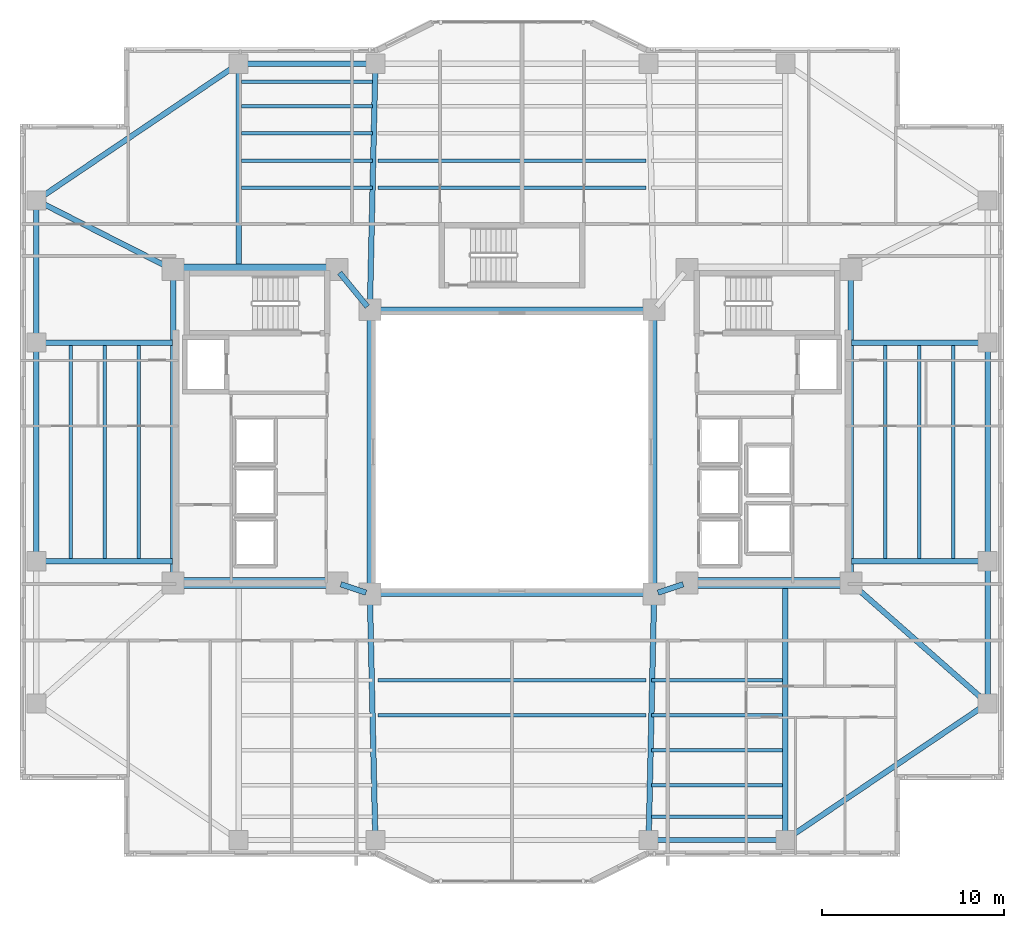
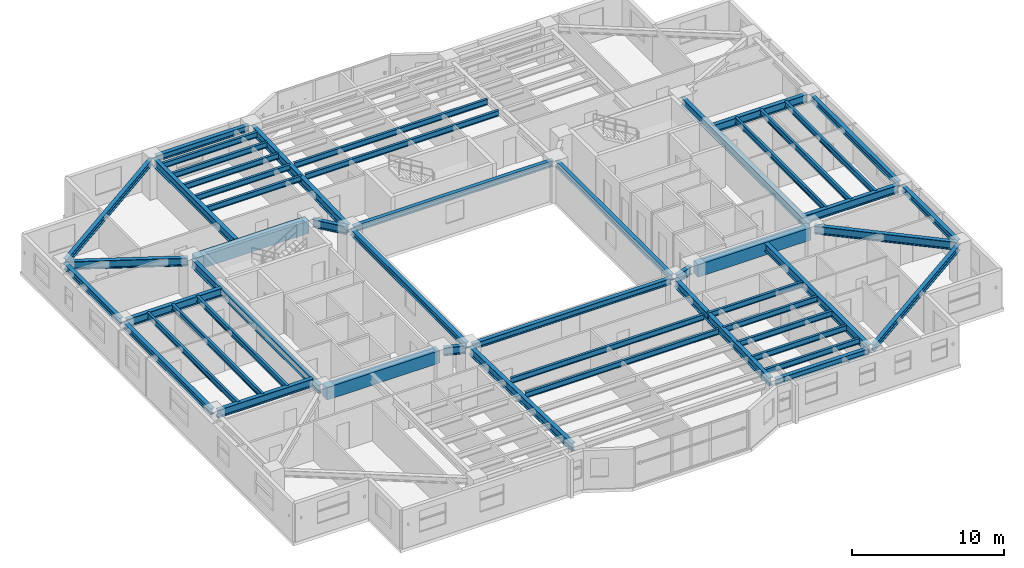
# One storey, part 3 of 18: 51 beams.
"""IFC4 building model written with IfcOpenShell, lengths in metres."""

import ifcopenshell
import ifcopenshell.guid

model = None  # the IFC model being written
_history = None  # IfcOwnerHistory: only IFC2X3 demands one
_inside = {}  # id of a spatial element -> (the spatial element, [elements in it])
_under = {}  # id of a project, library or spatial element -> (it, [spatial elements below it])
_declared = {}  # id of a project -> (the project, [libraries it declares])
_typed = {}  # id of a type object -> (the type object, [elements of that type])
_made_of = {}  # id of a material, layer set ... -> (it, [elements and type objects made of it])


def new_model(schema):
    """Start an empty IFC model of exactly this schema.

    Asked for "IFC4X3", IfcOpenShell would pick the latest addendum, in which some entities
    have other attributes; the version numbers below select the first issue.
    IFC2X3 requires an IfcOwnerHistory on every rooted entity: one is made here for all.
    """
    global model, _history
    if schema == "IFC4X3":
        model = ifcopenshell.file(schema_version=(4, 3, 0, 0))
    else:
        model = ifcopenshell.file(schema=schema)
    _inside.clear()
    _under.clear()
    _declared.clear()
    _typed.clear()
    _made_of.clear()
    _history = None
    if model.schema == "IFC2X3":
        org = make("IfcOrganization", Name="unknown")
        user = make(
            "IfcPersonAndOrganization",
            ThePerson=make("IfcPerson", FamilyName="unknown"),
            TheOrganization=org,
        )
        app = make(
            "IfcApplication",
            ApplicationDeveloper=org,
            Version="unknown",
            ApplicationFullName="unknown",
            ApplicationIdentifier="unknown",
        )
        _history = make(
            "IfcOwnerHistory",
            OwningUser=user,
            OwningApplication=app,
            ChangeAction="ADDED",
            CreationDate=0,
        )
    return model


def make(cls, **values):
    """One entity of the class cls with the attributes given. An attribute that is None is left unset."""
    return model.create_entity(
        cls, **{name: value for name, value in values.items() if value is not None}
    )


def rooted(cls, **values):
    """An entity with a GlobalId (a new one), such as an element, a storey or a relation."""
    return make(cls, GlobalId=ifcopenshell.guid.new(), OwnerHistory=_history, **values)


def si_unit(unit_type, name, prefix=None):
    """IfcSIUnit, for example si_unit("LENGTHUNIT", "METRE", prefix="MILLI")."""
    return make("IfcSIUnit", UnitType=unit_type, Prefix=prefix, Name=name)


def assignment(units):
    """IfcUnitAssignment: the units of a project."""
    return None if units is None else make("IfcUnitAssignment", Units=units)


def point(xyz):
    """IfcCartesianPoint."""
    return None if xyz is None else make("IfcCartesianPoint", Coordinates=xyz)


def direction(xyz):
    """IfcDirection."""
    return None if xyz is None else make("IfcDirection", DirectionRatios=xyz)


def frame(location, z_axis=None, x_axis=None):
    """IfcAxis2Placement3D, a coordinate frame: its origin and axes. An axis left out is left unset."""
    return make(
        "IfcAxis2Placement3D",
        Location=point(location),
        Axis=direction(z_axis),
        RefDirection=direction(x_axis),
    )


def frame_2d(location, x_axis=None):
    """IfcAxis2Placement2D, a coordinate frame in the plane: its origin and x axis."""
    return make(
        "IfcAxis2Placement2D", Location=point(location), RefDirection=direction(x_axis)
    )


def origin():
    """The frame at (0, 0, 0) with its axes left unset."""
    return frame((0.0, 0.0, 0.0))


def origin_2d():
    """The frame at (0, 0) in the plane with its x axis left unset."""
    return frame_2d((0.0, 0.0))


def place(relative_to, where):
    """IfcLocalPlacement: puts the frame where relative to a parent placement (None: the world)."""
    return make(
        "IfcLocalPlacement", PlacementRelTo=relative_to, RelativePlacement=where
    )


def context(
    kind, dimensions, precision=None, world=None, true_north=None, identifier=None
):
    """IfcGeometricRepresentationContext, for example the 3D "Model" context."""
    return make(
        "IfcGeometricRepresentationContext",
        ContextIdentifier=identifier,
        ContextType=kind,
        CoordinateSpaceDimension=dimensions,
        Precision=precision,
        WorldCoordinateSystem=world,
        TrueNorth=true_north,
    )


def subcontext(parent, identifier, kind, view, scale=None):
    """IfcGeometricRepresentationSubContext, for example "Body" below "Model"."""
    return make(
        "IfcGeometricRepresentationSubContext",
        ContextIdentifier=identifier,
        ContextType=kind,
        ParentContext=parent,
        TargetScale=scale,
        TargetView=view,
    )


def project(units=None, contexts=None):
    """IfcProject with its units and contexts."""
    return rooted(
        "IfcProject",
        Name="project",
        RepresentationContexts=contexts,
        UnitsInContext=assignment(units),
    )


def spatial(cls, under=None, at=None, **own):
    """A site, building, storey or space (cls), placed at a placement, below another one or the project."""
    s = rooted(cls, ObjectPlacement=at, **own)
    if under is not None:
        _under.setdefault(under.id(), (under, []))[1].append(s)
    return s


def profile(cls, at=None, kind="AREA", **sizes):
    """A parametric profile (cls). Its sizes go by their IFC names, for example OverallWidth=200.0."""
    return make(cls, ProfileType=kind, Position=at, **sizes)


def rectangle(**sizes):
    """IfcRectangleProfileDef."""
    return profile("IfcRectangleProfileDef", **sizes)


def i_section(**sizes):
    """IfcIShapeProfileDef."""
    return profile("IfcIShapeProfileDef", **sizes)


def extrude(swept, where, along, depth):
    """IfcExtrudedAreaSolid: the profile swept, set in the frame where, extruded along a direction by depth."""
    return make(
        "IfcExtrudedAreaSolid",
        SweptArea=swept,
        Position=where,
        ExtrudedDirection=direction(along),
        Depth=depth,
    )


def shape(context_of_items, identifier, shape_type, items):
    """IfcShapeRepresentation: the items that make up one representation, for example the "Body"."""
    return make(
        "IfcShapeRepresentation",
        ContextOfItems=context_of_items,
        RepresentationIdentifier=identifier,
        RepresentationType=shape_type,
        Items=items,
    )


def material(Name=None, Category=None):
    """IfcMaterial."""
    return make("IfcMaterial", Name=Name, Category=Category)


def material_profile(
    of_material, cross_section, Name=None, Category=None, Priority=None
):
    """IfcMaterialProfile: a cross section and its material."""
    return make(
        "IfcMaterialProfile",
        Name=Name,
        Material=of_material,
        Profile=cross_section,
        Priority=Priority,
        Category=Category,
    )


def profile_set(profiles, Name=None, composite=None):
    """IfcMaterialProfileSet."""
    return make(
        "IfcMaterialProfileSet",
        Name=Name,
        MaterialProfiles=profiles,
        CompositeProfile=composite,
    )


def made_of(thing, what):
    """Note that an element or type object is made of a material, layer set ...; save() writes the relation."""
    if what is not None:
        _made_of.setdefault(what.id(), (what, []))[1].append(thing)
    return thing


def type_object(cls, material=None, **own):
    """A type object (cls), such as IfcWallType, which elements share."""
    return made_of(rooted(cls, **own), material)


def element(
    cls,
    number,
    at=None,
    inside=None,
    cuts=None,
    type_object=None,
    material=None,
    context=None,
    identifier="Body",
    shape_type=None,
    held_by="IfcProductDefinitionShape",
    body=None,
    shapes=None,
    **own,
):
    """One element of the class cls, such as IfcWall. Its Tag is "e" and its number.

    at: its placement. inside: the storey or other place that contains it. cuts: it is an
    opening in that element (IfcRelVoidsElement). A single representation is given by context,
    identifier, shape_type and body (its items); several are given by shapes. held_by: the class
    of the entity that holds the representations. save() writes the other relations.
    """
    e = rooted(cls, Tag="e%d" % number, ObjectPlacement=at, **own)
    if body is not None:
        shapes = [shape(context, identifier, shape_type, body)]
    if shapes is not None:
        e.Representation = make(held_by, Representations=shapes)
    if inside is not None:
        _inside.setdefault(inside.id(), (inside, []))[1].append(e)
    if cuts is not None:
        rooted(
            "IfcRelVoidsElement", RelatingBuildingElement=cuts, RelatedOpeningElement=e
        )
    if type_object is not None:
        _typed.setdefault(type_object.id(), (type_object, []))[1].append(e)
    return made_of(e, material)


def aggregate(whole, parts):
    """IfcRelAggregates: a whole, such as a stair, and the parts it consists of."""
    return rooted("IfcRelAggregates", RelatingObject=whole, RelatedObjects=parts)


def save(model, path):
    """Write the relations noted so far, then the file.

    IfcRelAggregates (storeys below a building ...), IfcRelContainedInSpatialStructure (elements
    in a storey), IfcRelDefinesByType, IfcRelAssociatesMaterial and IfcRelDeclares: one each for
    every whole, place, type object, material and project.
    """
    for whole, parts in _under.values():
        aggregate(whole, parts)
    for where, things in _inside.values():
        rooted(
            "IfcRelContainedInSpatialStructure",
            RelatedElements=things,
            RelatingStructure=where,
        )
    for kind, things in _typed.values():
        rooted("IfcRelDefinesByType", RelatedObjects=things, RelatingType=kind)
    for what, things in _made_of.values():
        rooted("IfcRelAssociatesMaterial", RelatedObjects=things, RelatingMaterial=what)
    for by, libraries in _declared.values():
        rooted("IfcRelDeclares", RelatingContext=by, RelatedDefinitions=libraries)
    model.write(path)


model = new_model("IFC4")

# Units and contexts
model_context = context("Model", 3, precision=1e-05, world=origin(), true_north=direction((0.0, 1.0)))
body_context = subcontext(model_context, "Body", "Model", "MODEL_VIEW")
ifc_project = project(units=[si_unit("LENGTHUNIT", "METRE"), si_unit("AREAUNIT", "SQUARE_METRE"), si_unit("VOLUMEUNIT", "CUBIC_METRE"), si_unit("PLANEANGLEUNIT", "RADIAN"), si_unit("MASSUNIT", "GRAM", prefix="KILO")], contexts=[model_context])

# Site, building, storey
site_placement = place(None, origin())
site = spatial("IfcSite", under=ifc_project, at=site_placement, CompositionType="ELEMENT")
building_placement = place(site_placement, origin())
building = spatial("IfcBuilding", under=site, at=building_placement, Name="Tarnavaz Court Tower", CompositionType="ELEMENT")
storey_placement = place(building_placement, frame((0.0, 0.0, 105.10009765625)))
storey = spatial("IfcBuildingStorey", under=building, at=storey_placement, Name="L28", CompositionType="ELEMENT", Elevation=105.10009765625)

# Beams
ifc_material_1 = material(Name="Concrete C60/75", Category="concrete")
ifc_material_profile_1 = material_profile(ifc_material_1, rectangle(XDim=0.60009765625, YDim=1.0, at=origin_2d()), Name="RC 600X1000")
ifc_profile_set_1 = profile_set([ifc_material_profile_1], Name="Concrete C60/75")
beam_type_1 = type_object("IfcBeamType", Name="BM-CB1000", PredefinedType="LINTEL", material=ifc_profile_set_1)
for number, where, z_axis, x_axis, name in (
    (1, (-18.3798828125, -7.199951171875, 2.599853515625), (1.0, 0.0, 0.0), (0.0, 1.0, 0.0), "L28 Beam IN-CW-SO-CW-SI"),
    (2, (-18.3798828125, 10.0, 2.599853515625), (1.0, 0.0, 0.0), (0.0, 1.0, 0.0), "L28 Beam IN-CW-NO-CW-NI"),
    (3, (18.3798828125, -7.199951171875, 2.599853515625), (-1.0, 0.0, 0.0), (0.0, -1.0, 0.0), "L28 Beam IN-CE-SO-CE-SI"),
):
    element("IfcBeam", number, at=place(storey_placement, frame(where, z_axis=z_axis, x_axis=x_axis)), inside=storey, type_object=beam_type_1, Name=name, PredefinedType="LINTEL", context=body_context, shape_type="SweptSolid", body=[
        extrude(rectangle(XDim=0.60009765625, YDim=1.0, at=origin_2d()), origin(), (0.0, 0.0, 1.0), 8.559814453125),
    ])
ifc_material_2 = material(Name="Steel S355", Category="steel")
ifc_material_profile_2 = material_profile(ifc_material_2, i_section(OverallWidth=0.300048828125, OverallDepth=0.64990234375, WebThickness=0.01611328125, FlangeThickness=0.031005859375, FilletRadius=0.027099609375, at=origin_2d()), Name="HEB 650")
ifc_profile_set_2 = profile_set([ifc_material_profile_2], Name="Steel S355")
beam_type_2 = type_object("IfcBeamType", Name="BM-G-HEB650", PredefinedType="USERDEFINED", material=ifc_profile_set_2)
for number, where, z_axis, x_axis, name in (
    (4, (-9.391357421875, -7.26953125, 2.77490234375), (0.948666544706, -0.316278021615, 0.0), (0.316278021615, 0.948666544706, 0.0), "L28 Beam IN-CW-SI-IW-SW"),
    (5, (9.391357421875, -7.26953125, 2.77490234375), (-0.948666544706, -0.316278021615, 0.0), (0.316278021615, -0.948666544706, 0.0), "L28 Beam IN-CE-SI-IW-SE"),
):
    element("IfcBeam", number, at=place(storey_placement, frame(where, z_axis=z_axis, x_axis=x_axis)), inside=storey, type_object=beam_type_2, Name=name, ObjectType="GIRDER", PredefinedType="USERDEFINED", context=body_context, shape_type="SweptSolid", body=[
        extrude(i_section(OverallWidth=0.300048828125, OverallDepth=0.64990234375, WebThickness=0.01611328125, FlangeThickness=0.031005859375, FilletRadius=0.027099609375, at=origin_2d()), origin(), (0.0, 0.0, 1.0), 1.457275390625),
    ])
beam_1_placement = place(storey_placement, frame((-9.460693359375, 9.82958984375, 2.77490234375), z_axis=(0.633282058357, -0.773921077735, 0.0), x_axis=(0.773921077735, 0.633282058357, 0.0)))
element("IfcBeam", 6, at=beam_1_placement, inside=storey, type_object=beam_type_2, Name="L28 Beam IN-CW-NI-IW-NW", ObjectType="GIRDER", PredefinedType="USERDEFINED", context=body_context, shape_type="SweptSolid", body=[
    extrude(i_section(OverallWidth=0.300048828125, OverallDepth=0.64990234375, WebThickness=0.01611328125, FlangeThickness=0.031005859375, FilletRadius=0.027099609375, at=origin_2d()), origin(), (0.0, 0.0, 1.0), 2.402587890625),
])
for number, where, z_axis, x_axis, name in (
    (7, (-18.60009765625, -6.97998046875, 2.77490234375), (0.0, 1.0, 0.0), (-1.0, 0.0, 0.0), "L28 Beam IN-CW-SO-CW-NO"),
    (8, (18.60009765625, -6.97998046875, 2.77490234375), (0.0, 1.0, 0.0), (-1.0, 0.0, 0.0), "L28 Beam IN-CE-SO-CE-NO"),
):
    element("IfcBeam", number, at=place(storey_placement, frame(where, z_axis=z_axis, x_axis=x_axis)), inside=storey, type_object=beam_type_2, Name=name, ObjectType="GIRDER", PredefinedType="USERDEFINED", context=body_context, shape_type="SweptSolid", body=[
        extrude(i_section(OverallWidth=0.300048828125, OverallDepth=0.64990234375, WebThickness=0.01611328125, FlangeThickness=0.031005859375, FilletRadius=0.027099609375, at=origin_2d()), origin(), (0.0, 0.0, 1.0), 16.760009765625),
    ])
beam_2_placement = place(storey_placement, frame((-15.0, 10.0400390625, 2.77490234375), z_axis=(0.0, 1.0, 0.0), x_axis=(-1.0, 0.0, 0.0)))
element("IfcBeam", 9, at=beam_2_placement, inside=storey, type_object=beam_type_2, Name="L28 Beam RG-01", ObjectType="GIRDER", PredefinedType="USERDEFINED", context=body_context, shape_type="SweptSolid", body=[
    extrude(i_section(OverallWidth=0.300048828125, OverallDepth=0.64990234375, WebThickness=0.01611328125, FlangeThickness=0.031005859375, FilletRadius=0.027099609375, at=origin_2d()), origin(), (0.0, 0.0, 1.0), 11.0400390625),
])
for number, where, z_axis, x_axis, name in (
    (10, (-7.795166015625, 8.02001953125, 2.77490234375), (0.022221303469, 0.99975307635, 0.0), (-0.99975307635, 0.022221303469, 0.0), "L28 Beam RG-02"),
    (11, (-7.795166015625, -8.02001953125, 2.77490234375), (0.022221303469, -0.99975307635, 0.0), (0.99975307635, 0.022221303469, 0.0), "L28 Beam RG-06"),
    (12, (7.795166015625, -8.02001953125, 2.77490234375), (-0.022221303469, -0.99975307635, 0.0), (0.99975307635, -0.022221303469, 0.0), "L28 Beam RG-07"),
):
    element("IfcBeam", number, at=place(storey_placement, frame(where, z_axis=z_axis, x_axis=x_axis)), inside=storey, type_object=beam_type_2, Name=name, ObjectType="GIRDER", PredefinedType="USERDEFINED", context=body_context, shape_type="SweptSolid", body=[
        extrude(i_section(OverallWidth=0.300048828125, OverallDepth=0.64990234375, WebThickness=0.01611328125, FlangeThickness=0.031005859375, FilletRadius=0.027099609375, at=origin_2d()), origin(), (0.0, 0.0, 1.0), 13.063232421875),
    ])
beam_3_placement = place(storey_placement, frame((15.0, -7.239990234375, 2.77490234375), z_axis=(0.0, -1.0, 0.0), x_axis=(1.0, 0.0, 0.0)))
element("IfcBeam", 13, at=beam_3_placement, inside=storey, type_object=beam_type_2, Name="L28 Beam RG-08", ObjectType="GIRDER", PredefinedType="USERDEFINED", context=body_context, shape_type="SweptSolid", body=[
    extrude(i_section(OverallWidth=0.300048828125, OverallDepth=0.64990234375, WebThickness=0.01611328125, FlangeThickness=0.031005859375, FilletRadius=0.027099609375, at=origin_2d()), origin(), (0.0, 0.0, 1.0), 13.840087890625),
])
for number, where, z_axis, x_axis, name in (
    (14, (18.639892578125, -6.0, 2.77490234375), (1.0, 0.0, 0.0), (0.0, 1.0, 0.0), "L28 Beam RG-09"),
    (15, (18.639892578125, 6.0, 2.77490234375), (1.0, 0.0, 0.0), (0.0, 1.0, 0.0), "L28 Beam RG-10"),
):
    element("IfcBeam", number, at=place(storey_placement, frame(where, z_axis=z_axis, x_axis=x_axis)), inside=storey, type_object=beam_type_2, Name=name, ObjectType="GIRDER", PredefinedType="USERDEFINED", context=body_context, shape_type="SweptSolid", body=[
        extrude(i_section(OverallWidth=0.300048828125, OverallDepth=0.64990234375, WebThickness=0.01611328125, FlangeThickness=0.031005859375, FilletRadius=0.027099609375, at=origin_2d()), origin(), (0.0, 0.0, 1.0), 7.239990234375),
    ])
beam_4_placement = place(storey_placement, frame((18.76513671875, -7.34521484375, 2.77490234375), z_axis=(0.750700332035, -0.660642877417, 0.0), x_axis=(0.660642877417, 0.750700332035, 0.0)))
element("IfcBeam", 16, at=beam_4_placement, inside=storey, type_object=beam_type_2, Name="L28 Beam RG-11", ObjectType="GIRDER", PredefinedType="USERDEFINED", context=body_context, shape_type="SweptSolid", body=[
    extrude(i_section(OverallWidth=0.300048828125, OverallDepth=0.64990234375, WebThickness=0.01611328125, FlangeThickness=0.031005859375, FilletRadius=0.027099609375, at=origin_2d()), origin(), (0.0, 0.0, 1.0), 9.550537109375),
])
for number, where, z_axis, x_axis, name in (
    (17, (-18.639892578125, -6.0, 2.77490234375), (-1.0, 0.0, 0.0), (0.0, -1.0, 0.0), "L28 Beam RG-13"),
    (18, (-18.639892578125, 6.0, 2.77490234375), (-1.0, 0.0, 0.0), (0.0, -1.0, 0.0), "L28 Beam RG-14"),
):
    element("IfcBeam", number, at=place(storey_placement, frame(where, z_axis=z_axis, x_axis=x_axis)), inside=storey, type_object=beam_type_2, Name=name, ObjectType="GIRDER", PredefinedType="USERDEFINED", context=body_context, shape_type="SweptSolid", body=[
        extrude(i_section(OverallWidth=0.300048828125, OverallDepth=0.64990234375, WebThickness=0.01611328125, FlangeThickness=0.031005859375, FilletRadius=0.027099609375, at=origin_2d()), origin(), (0.0, 0.0, 1.0), 7.239990234375),
    ])
beam_5_placement = place(storey_placement, frame((-18.796142578125, 10.099365234375, 2.77490234375), z_axis=(-0.892030669981, 0.451974870776, 0.0), x_axis=(-0.451974870776, -0.892030669981, 0.0)))
element("IfcBeam", 19, at=beam_5_placement, inside=storey, type_object=beam_type_2, Name="L28 Beam RG-16", ObjectType="GIRDER", PredefinedType="USERDEFINED", context=body_context, shape_type="SweptSolid", body=[
    extrude(i_section(OverallWidth=0.300048828125, OverallDepth=0.64990234375, WebThickness=0.01611328125, FlangeThickness=0.031005859375, FilletRadius=0.027099609375, at=origin_2d()), origin(), (0.0, 0.0, 1.0), 7.968017578125),
])
ifc_material_profile_3 = material_profile(ifc_material_2, i_section(OverallWidth=0.18994140625, OverallDepth=0.449951171875, WebThickness=0.009521484375, FlangeThickness=0.0146484375, FilletRadius=0.02099609375, at=origin_2d()), Name="IPE 450")
ifc_profile_set_3 = profile_set([ifc_material_profile_3], Name="Steel S355")
beam_type_3 = type_object("IfcBeamType", Name="BM-J-IPE450", PredefinedType="JOIST", material=ifc_profile_set_3)
beam_6_placement = place(storey_placement, frame((-14.85009765625, 14.493896484375, 2.875), z_axis=(1.0, 0.0, 0.0), x_axis=(0.0, 1.0, 0.0)))
element("IfcBeam", 20, at=beam_6_placement, inside=storey, type_object=beam_type_3, Name="L28 Beam JN1-1", PredefinedType="JOIST", context=body_context, shape_type="SweptSolid", body=[
    extrude(i_section(OverallWidth=0.18994140625, OverallDepth=0.449951171875, WebThickness=0.009521484375, FlangeThickness=0.0146484375, FilletRadius=0.02099609375, at=origin_2d()), origin(), (0.0, 0.0, 1.0), 7.2001953125),
])
for number, where, z_axis, x_axis, name in (
    (21, (-7.35009765625, 14.493896484375, 2.875), (1.0, 0.0, 0.0), (0.0, 1.0, 0.0), "L28 Beam JN1-2"),
    (22, (-7.35009765625, -12.52587890625, 2.875), (1.0, 0.0, 0.0), (0.0, 1.0, 0.0), "L28 Beam JS1-2"),
):
    element("IfcBeam", number, at=place(storey_placement, frame(where, z_axis=z_axis, x_axis=x_axis)), inside=storey, type_object=beam_type_3, Name=name, PredefinedType="JOIST", context=body_context, shape_type="SweptSolid", body=[
        extrude(i_section(OverallWidth=0.18994140625, OverallDepth=0.449951171875, WebThickness=0.009521484375, FlangeThickness=0.0146484375, FilletRadius=0.02099609375, at=origin_2d()), origin(), (0.0, 0.0, 1.0), 14.7001953125),
    ])
for number, where, z_axis, x_axis, name in (
    (23, (7.64990234375, -12.52587890625, 2.875), (1.0, 0.0, 0.0), (0.0, 1.0, 0.0), "L28 Beam JS1-3"),
    (24, (-14.85009765625, 15.988037109375, 2.875), (1.0, 0.0, 0.0), (0.0, 1.0, 0.0), "L28 Beam JN2-1"),
):
    element("IfcBeam", number, at=place(storey_placement, frame(where, z_axis=z_axis, x_axis=x_axis)), inside=storey, type_object=beam_type_3, Name=name, PredefinedType="JOIST", context=body_context, shape_type="SweptSolid", body=[
        extrude(i_section(OverallWidth=0.18994140625, OverallDepth=0.449951171875, WebThickness=0.009521484375, FlangeThickness=0.0146484375, FilletRadius=0.02099609375, at=origin_2d()), origin(), (0.0, 0.0, 1.0), 7.2001953125),
    ])
for number, where, z_axis, x_axis, name in (
    (25, (-7.35009765625, 15.988037109375, 2.875), (1.0, 0.0, 0.0), (0.0, 1.0, 0.0), "L28 Beam JN2-2"),
    (26, (-7.35009765625, -14.451904296875, 2.875), (1.0, 0.0, 0.0), (0.0, 1.0, 0.0), "L28 Beam JS2-2"),
):
    element("IfcBeam", number, at=place(storey_placement, frame(where, z_axis=z_axis, x_axis=x_axis)), inside=storey, type_object=beam_type_3, Name=name, PredefinedType="JOIST", context=body_context, shape_type="SweptSolid", body=[
        extrude(i_section(OverallWidth=0.18994140625, OverallDepth=0.449951171875, WebThickness=0.009521484375, FlangeThickness=0.0146484375, FilletRadius=0.02099609375, at=origin_2d()), origin(), (0.0, 0.0, 1.0), 14.7001953125),
    ])
for number, where, z_axis, x_axis, name in (
    (27, (7.64990234375, -14.451904296875, 2.875), (1.0, 0.0, 0.0), (0.0, 1.0, 0.0), "L28 Beam JS2-3"),
    (28, (-14.85009765625, 17.48193359375, 2.875), (1.0, 0.0, 0.0), (0.0, 1.0, 0.0), "L28 Beam JN3-1"),
    (29, (7.64990234375, -16.3779296875, 2.875), (1.0, 0.0, 0.0), (0.0, 1.0, 0.0), "L28 Beam JS3-3"),
    (30, (-14.85009765625, 18.97607421875, 2.875), (1.0, 0.0, 0.0), (0.0, 1.0, 0.0), "L28 Beam JN4-1"),
    (31, (7.64990234375, -18.303955078125, 2.875), (1.0, 0.0, 0.0), (0.0, 1.0, 0.0), "L28 Beam JS4-3"),
    (32, (-14.85009765625, 20.303955078125, 2.875), (1.0, 0.0, 0.0), (0.0, 1.0, 0.0), "L28 Beam JN5-1"),
    (33, (7.64990234375, -20.01611328125, 2.875), (1.0, 0.0, 0.0), (0.0, 1.0, 0.0), "L28 Beam JS5-3"),
):
    element("IfcBeam", number, at=place(storey_placement, frame(where, z_axis=z_axis, x_axis=x_axis)), inside=storey, type_object=beam_type_3, Name=name, PredefinedType="JOIST", context=body_context, shape_type="SweptSolid", body=[
        extrude(i_section(OverallWidth=0.18994140625, OverallDepth=0.449951171875, WebThickness=0.009521484375, FlangeThickness=0.0146484375, FilletRadius=0.02099609375, at=origin_2d()), origin(), (0.0, 0.0, 1.0), 7.2001953125),
    ])
for number, where, z_axis, x_axis, name in (
    (34, (20.47509765625, -5.9599609375, 2.875), (0.0, 1.0, 0.0), (-1.0, 0.0, 0.0), "L28 Beam JE1"),
    (35, (-20.47509765625, -5.9599609375, 2.875), (0.0, 1.0, 0.0), (-1.0, 0.0, 0.0), "L28 Beam JW1"),
    (36, (22.35009765625, -5.9599609375, 2.875), (0.0, 1.0, 0.0), (-1.0, 0.0, 0.0), "L28 Beam JE2"),
    (37, (-22.35009765625, -5.9599609375, 2.875), (0.0, 1.0, 0.0), (-1.0, 0.0, 0.0), "L28 Beam JW2"),
    (38, (24.22509765625, -5.9599609375, 2.875), (0.0, 1.0, 0.0), (-1.0, 0.0, 0.0), "L28 Beam JE3"),
    (39, (-24.22509765625, -5.9599609375, 2.875), (0.0, 1.0, 0.0), (-1.0, 0.0, 0.0), "L28 Beam JW3"),
):
    element("IfcBeam", number, at=place(storey_placement, frame(where, z_axis=z_axis, x_axis=x_axis)), inside=storey, type_object=beam_type_3, Name=name, PredefinedType="JOIST", context=body_context, shape_type="SweptSolid", body=[
        extrude(i_section(OverallWidth=0.18994140625, OverallDepth=0.449951171875, WebThickness=0.009521484375, FlangeThickness=0.0146484375, FilletRadius=0.02099609375, at=origin_2d()), origin(), (0.0, 0.0, 1.0), 11.919921875),
    ])
ifc_material_profile_4 = material_profile(ifc_material_2, i_section(OverallWidth=0.300048828125, OverallDepth=0.489990234375, WebThickness=0.011962890625, FlangeThickness=0.02294921875, FilletRadius=0.027099609375, at=origin_2d()), Name="HEA 500")
ifc_profile_set_4 = profile_set([ifc_material_profile_4], Name="Steel S355")
beam_type_4 = type_object("IfcBeamType", Name="BM-SP-HEA500", PredefinedType="SPANDREL", material=ifc_profile_set_4)
for number, where, z_axis, x_axis, name in (
    (40, (-7.580078125, -7.800048828125, 2.85498046875), (1.0, 0.0, 0.0), (0.0, 1.0, 0.0), "L28 Beam IN-IW-SW-IW-SE"),
    (41, (-7.580078125, 7.800048828125, 2.85498046875), (1.0, 0.0, 0.0), (0.0, 1.0, 0.0), "L28 Beam IN-IW-NW-IW-NE"),
    (42, (-7.800048828125, -7.580078125, 2.85498046875), (0.0, 1.0, 0.0), (-1.0, 0.0, 0.0), "L28 Beam IN-IW-SW-IW-NW"),
    (43, (7.800048828125, -7.580078125, 2.85498046875), (0.0, 1.0, 0.0), (-1.0, 0.0, 0.0), "L28 Beam IN-IW-SE-IW-NE"),
):
    element("IfcBeam", number, at=place(storey_placement, frame(where, z_axis=z_axis, x_axis=x_axis)), inside=storey, type_object=beam_type_4, Name=name, PredefinedType="SPANDREL", context=body_context, shape_type="SweptSolid", body=[
        extrude(i_section(OverallWidth=0.300048828125, OverallDepth=0.489990234375, WebThickness=0.011962890625, FlangeThickness=0.02294921875, FilletRadius=0.027099609375, at=origin_2d()), origin(), (0.0, 0.0, 1.0), 15.16015625),
    ])
for number, where, z_axis, x_axis, name in (
    (44, (-14.780029296875, 21.300048828125, 2.85498046875), (1.0, 0.0, 0.0), (0.0, 1.0, 0.0), "L28 Beam PR-PN-1-PN-2"),
    (45, (7.719970703125, -21.300048828125, 2.85498046875), (1.0, 0.0, 0.0), (0.0, 1.0, 0.0), "L28 Beam PR-PS-3-PS-4"),
):
    element("IfcBeam", number, at=place(storey_placement, frame(where, z_axis=z_axis, x_axis=x_axis)), inside=storey, type_object=beam_type_4, Name=name, PredefinedType="SPANDREL", context=body_context, shape_type="SweptSolid", body=[
        extrude(i_section(OverallWidth=0.300048828125, OverallDepth=0.489990234375, WebThickness=0.011962890625, FlangeThickness=0.02294921875, FilletRadius=0.027099609375, at=origin_2d()), origin(), (0.0, 0.0, 1.0), 7.06005859375),
    ])
beam_7_placement = place(storey_placement, frame((26.10009765625, -13.580078125, 2.85498046875), z_axis=(0.0, 1.0, 0.0), x_axis=(-1.0, 0.0, 0.0)))
element("IfcBeam", 46, at=beam_7_placement, inside=storey, type_object=beam_type_4, Name="L28 Beam PR-PE-1-PE-2", PredefinedType="SPANDREL", context=body_context, shape_type="SweptSolid", body=[
    extrude(i_section(OverallWidth=0.300048828125, OverallDepth=0.489990234375, WebThickness=0.011962890625, FlangeThickness=0.02294921875, FilletRadius=0.027099609375, at=origin_2d()), origin(), (0.0, 0.0, 1.0), 7.360107421875),
])
for number, where, z_axis, x_axis, name in (
    (47, (26.10009765625, -5.780029296875, 2.85498046875), (0.0, 1.0, 0.0), (-1.0, 0.0, 0.0), "L28 Beam PR-PE-2-PE-3"),
    (48, (-26.10009765625, -5.780029296875, 2.85498046875), (0.0, 1.0, 0.0), (-1.0, 0.0, 0.0), "L28 Beam PR-PW-2-PW-3"),
):
    element("IfcBeam", number, at=place(storey_placement, frame(where, z_axis=z_axis, x_axis=x_axis)), inside=storey, type_object=beam_type_4, Name=name, PredefinedType="SPANDREL", context=body_context, shape_type="SweptSolid", body=[
        extrude(i_section(OverallWidth=0.300048828125, OverallDepth=0.489990234375, WebThickness=0.011962890625, FlangeThickness=0.02294921875, FilletRadius=0.027099609375, at=origin_2d()), origin(), (0.0, 0.0, 1.0), 11.56005859375),
    ])
beam_8_placement = place(storey_placement, frame((-26.10009765625, 6.219970703125, 2.85498046875), z_axis=(0.0, 1.0, 0.0), x_axis=(-1.0, 0.0, 0.0)))
element("IfcBeam", 49, at=beam_8_placement, inside=storey, type_object=beam_type_4, Name="L28 Beam PR-PW-3-PW-4", PredefinedType="SPANDREL", context=body_context, shape_type="SweptSolid", body=[
    extrude(i_section(OverallWidth=0.300048828125, OverallDepth=0.489990234375, WebThickness=0.011962890625, FlangeThickness=0.02294921875, FilletRadius=0.027099609375, at=origin_2d()), origin(), (0.0, 0.0, 1.0), 7.360107421875),
])
for number, where, z_axis, x_axis, name in (
    (50, (25.917724609375, -13.923095703125, 2.85498046875), (-0.828587314918, -0.559859858854, 0.0), (0.559859858854, -0.828587314918, 0.0), "L28 Beam PR-PE-1-PS-4"),
    (51, (-25.917724609375, 13.923095703125, 2.85498046875), (0.828587314918, 0.559859858854, 0.0), (-0.559859858854, 0.828587314918, 0.0), "L28 Beam PR-PW-4-PN-1"),
):
    element("IfcBeam", number, at=place(storey_placement, frame(where, z_axis=z_axis, x_axis=x_axis)), inside=storey, type_object=beam_type_4, Name=name, PredefinedType="SPANDREL", context=body_context, shape_type="SweptSolid", body=[
        extrude(i_section(OverallWidth=0.300048828125, OverallDepth=0.489990234375, WebThickness=0.011962890625, FlangeThickness=0.02294921875, FilletRadius=0.027099609375, at=origin_2d()), origin(), (0.0, 0.0, 1.0), 12.956298828125),
    ])

save(model, "model.ifc")
